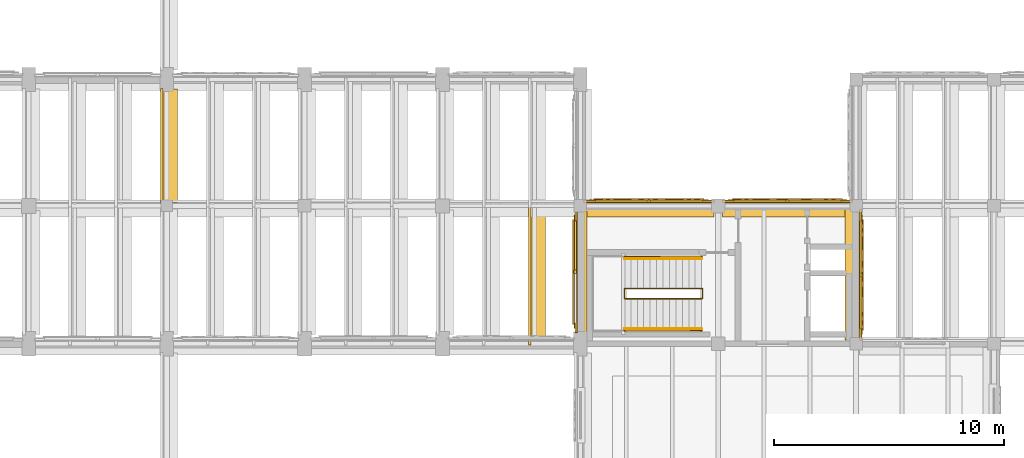
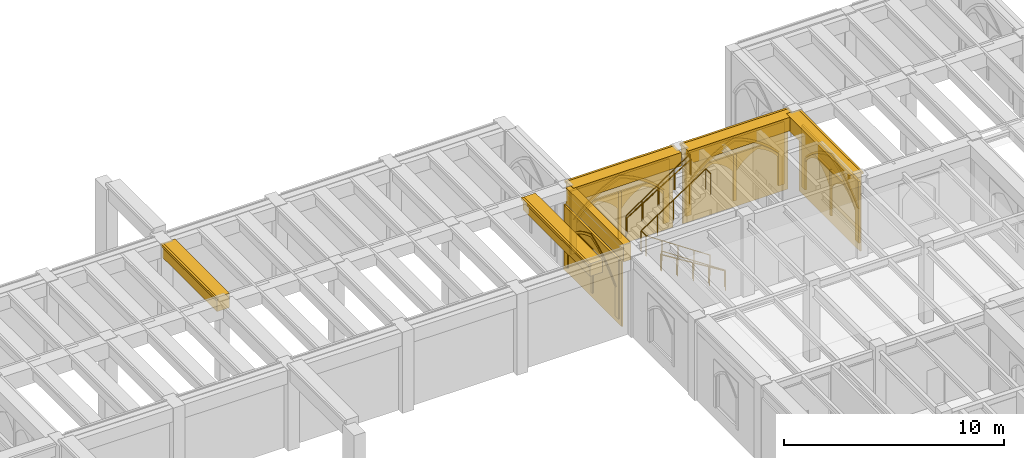
# One storey, part 118 of 127: 34 coverings, 5 railings.
"""IFC4 building model written with IfcOpenShell, lengths in metres."""

from ifc_helpers import new_model, si_unit, direction, frame, origin, origin_2d, place, context, subcontext, project, spatial, polyline, rectangle, circle, outline, extrude, material, type_object, element, save


model = new_model("IFC4")

# Units and contexts
model_context = context("Model", 3, precision=1e-05, world=origin(), true_north=direction((0.0, 1.0)))
body_context = subcontext(model_context, "Body", "Model", "MODEL_VIEW")
ifc_project = project(units=[si_unit("LENGTHUNIT", "METRE"), si_unit("AREAUNIT", "SQUARE_METRE"), si_unit("VOLUMEUNIT", "CUBIC_METRE"), si_unit("PLANEANGLEUNIT", "RADIAN"), si_unit("MASSUNIT", "GRAM", prefix="KILO")], contexts=[model_context])

# Site, building, storey
site_placement = place(None, origin())
site = spatial("IfcSite", under=ifc_project, at=site_placement, CompositionType="ELEMENT")
building_placement = place(site_placement, origin())
building = spatial("IfcBuilding", under=site, at=building_placement, Name="Cumevento Cable Car Station", CompositionType="ELEMENT")
storey_placement = place(building_placement, frame((0.0, 0.0, 4.5)))
storey = spatial("IfcBuildingStorey", under=building, at=storey_placement, Name="L02", CompositionType="ELEMENT", Elevation=4.5)

# Railings
ifc_material_1 = material(Name="Painted Galvanised Architectural Steel", Category="steel")
railing_type_1 = type_object("IfcRailingType", Name="Stair Guardrail GR-S115", PredefinedType="GUARDRAIL", material=ifc_material_1)
railing_1_placement = place(storey_placement, frame((123.280029296875, 46.9599609375, 0.0)))
element("IfcRailing", 1, at=railing_1_placement, inside=storey, type_object=railing_type_1, Name="Stair Well Inner Guardrail ST-06-L02", PredefinedType="GUARDRAIL", context=body_context, shape_type="SweptSolid", body=[
    extrude(circle(Radius=0.02392578125, at=origin_2d()), frame((0.0, 0.0, 1.1259765625), z_axis=(-0.830915400975, 0.0, 0.556398774641), x_axis=(0.0, -1.0, 0.0)), (0.0, 0.0, 1.0), 4.0439453125),
    extrude(circle(Radius=0.02392578125, at=origin_2d()), frame((-3.360107421875, 0.0, 3.3759765625), z_axis=(0.0, 1.0, 0.0), x_axis=(-1.0, 0.0, 0.0)), (0.0, 0.0, 1.0), 0.449951171875),
    extrude(circle(Radius=0.02392578125, at=origin_2d()), frame((-3.360107421875, 0.449951171875, 3.3759765625), z_axis=(0.833193183746, 0.0, 0.552982023722), x_axis=(0.0, 1.0, 0.0)), (0.0, 0.0, 1.0), 4.06884765625),
    extrude(circle(Radius=0.02392578125, at=origin_2d()), frame((0.030029296875, 0.449951171875, 5.6259765625), z_axis=(0.0, -1.0, 0.0), x_axis=(1.0, 0.0, 0.0)), (0.0, 0.0, 1.0), 0.449951171875),
    extrude(circle(Radius=0.02001953125, at=origin_2d()), origin(), (0.0, 0.0, 1.0), 1.101806640625),
    extrude(circle(Radius=0.02001953125, at=origin_2d()), frame((-0.840087890625, 0.0, 0.5625)), (0.0, 0.0, 1.0), 1.101806640625),
    extrude(circle(Radius=0.02001953125, at=origin_2d()), frame((-1.68017578125, 0.0, 1.125)), (0.0, 0.0, 1.0), 1.101806640625),
    extrude(circle(Radius=0.02001953125, at=origin_2d()), frame((-2.52001953125, 0.0, 1.6875)), (0.0, 0.0, 1.0), 1.101806640625),
    extrude(circle(Radius=0.02001953125, at=origin_2d()), frame((-3.360107421875, 0.0, 2.25)), (0.0, 0.0, 1.0), 1.101806640625),
    extrude(circle(Radius=0.02001953125, at=origin_2d()), frame((-3.360107421875, 0.449951171875, 2.25)), (0.0, 0.0, 1.0), 1.101806640625),
    extrude(circle(Radius=0.02001953125, at=origin_2d()), frame((-2.5126953125, 0.449951171875, 2.8125)), (0.0, 0.0, 1.0), 1.101806640625),
    extrude(circle(Radius=0.02001953125, at=origin_2d()), frame((-1.6650390625, 0.449951171875, 3.375)), (0.0, 0.0, 1.0), 1.101806640625),
    extrude(circle(Radius=0.02001953125, at=origin_2d()), frame((-0.8173828125, 0.449951171875, 3.9375)), (0.0, 0.0, 1.0), 1.101806640625),
    extrude(circle(Radius=0.02001953125, at=origin_2d()), frame((0.030029296875, 0.449951171875, 4.5)), (0.0, 0.0, 1.0), 1.101806640625),
    extrude(circle(Radius=0.02001953125, at=origin_2d()), frame((0.030029296875, 0.0, 4.5)), (0.0, 0.0, 1.0), 1.101806640625),
])
railing_2_placement = place(storey_placement, frame((123.280029296875, 45.580078125, 0.0)))
element("IfcRailing", 2, at=railing_2_placement, inside=storey, type_object=railing_type_1, Name="Stair Outer Guardrail ST-06-L02 F1", PredefinedType="GUARDRAIL", context=body_context, shape_type="SweptSolid", body=[
    extrude(circle(Radius=0.02392578125, at=origin_2d()), frame((0.0, 0.0, 1.1259765625), z_axis=(-0.830915400975, 0.0, 0.556398774641), x_axis=(0.0, -1.0, 0.0)), (0.0, 0.0, 1.0), 4.0439453125),
    extrude(circle(Radius=0.02001953125, at=origin_2d()), origin(), (0.0, 0.0, 1.0), 1.101806640625),
    extrude(circle(Radius=0.02001953125, at=origin_2d()), frame((-0.840087890625, 0.0, 0.5625)), (0.0, 0.0, 1.0), 1.101806640625),
    extrude(circle(Radius=0.02001953125, at=origin_2d()), frame((-1.68017578125, 0.0, 1.125)), (0.0, 0.0, 1.0), 1.101806640625),
    extrude(circle(Radius=0.02001953125, at=origin_2d()), frame((-2.52001953125, 0.0, 1.6875)), (0.0, 0.0, 1.0), 1.101806640625),
    extrude(circle(Radius=0.02001953125, at=origin_2d()), frame((-3.360107421875, 0.0, 2.25)), (0.0, 0.0, 1.0), 1.101806640625),
])
railing_3_placement = place(storey_placement, frame((119.919921875, 48.7900390625, 2.25)))
element("IfcRailing", 3, at=railing_3_placement, inside=storey, type_object=railing_type_1, Name="Stair Outer Guardrail ST-06-L02 F2", PredefinedType="GUARDRAIL", context=body_context, shape_type="SweptSolid", body=[
    extrude(circle(Radius=0.02392578125, at=origin_2d()), frame((0.0, 0.0, 1.1259765625), z_axis=(0.830915400975, 0.0, 0.556398774641), x_axis=(0.0, 1.0, 0.0)), (0.0, 0.0, 1.0), 4.0439453125),
    extrude(circle(Radius=0.02001953125, at=origin_2d()), origin(), (0.0, 0.0, 1.0), 1.101806640625),
    extrude(circle(Radius=0.02001953125, at=origin_2d()), frame((0.840087890625, 0.0, 0.5625)), (0.0, 0.0, 1.0), 1.101806640625),
    extrude(circle(Radius=0.02001953125, at=origin_2d()), frame((1.68017578125, 0.0, 1.125)), (0.0, 0.0, 1.0), 1.101806640625),
    extrude(circle(Radius=0.02001953125, at=origin_2d()), frame((2.52001953125, 0.0, 1.6875)), (0.0, 0.0, 1.0), 1.101806640625),
    extrude(circle(Radius=0.02001953125, at=origin_2d()), frame((3.360107421875, 0.0, 2.25)), (0.0, 0.0, 1.0), 1.101806640625),
])
ifc_material_2 = material(Name="Brushed Stainless Steel Handrail Tube", Category="steel")
railing_type_2 = type_object("IfcRailingType", Name="Stair Handrail HR-090", PredefinedType="HANDRAIL", material=ifc_material_2)
railing_4_placement = place(storey_placement, frame((123.280029296875, 45.659912109375, 0.17626953125)))
element("IfcRailing", 4, at=railing_4_placement, inside=storey, type_object=railing_type_2, Name="Stair Pitch Handrail ST-06-L02 F1", PredefinedType="HANDRAIL", context=body_context, shape_type="SweptSolid", body=[
    extrude(circle(Radius=0.02099609375, at=origin_2d()), frame((0.0, 0.0, 0.87890625), z_axis=(-0.850623216509, 0.0, 0.525775754039), x_axis=(0.0, -1.0, 0.0)), (0.0, 0.0, 1.0), 3.9501953125),
    extrude(circle(Radius=0.01611328125, at=origin_2d()), origin(), (0.0, 0.0, 1.0), 0.85791015625),
    extrude(circle(Radius=0.01611328125, at=origin_2d()), frame((-0.840087890625, 0.0, 0.519287109375)), (0.0, 0.0, 1.0), 0.85791015625),
    extrude(circle(Radius=0.01611328125, at=origin_2d()), frame((-1.68017578125, 0.0, 1.03857421875)), (0.0, 0.0, 1.0), 0.85791015625),
    extrude(circle(Radius=0.01611328125, at=origin_2d()), frame((-2.52001953125, 0.0, 1.5576171875)), (0.0, 0.0, 1.0), 0.85791015625),
    extrude(circle(Radius=0.01611328125, at=origin_2d()), frame((-3.360107421875, 0.0, 2.076904296875)), (0.0, 0.0, 1.0), 0.85791015625),
])
railing_5_placement = place(storey_placement, frame((119.919921875, 48.7099609375, 2.42626953125)))
element("IfcRailing", 5, at=railing_5_placement, inside=storey, type_object=railing_type_2, Name="Stair Pitch Handrail ST-06-L02 F2", PredefinedType="HANDRAIL", context=body_context, shape_type="SweptSolid", body=[
    extrude(circle(Radius=0.02099609375, at=origin_2d()), frame((0.0, 0.0, 0.87890625), z_axis=(0.850623216509, 0.0, 0.525775754039), x_axis=(0.0, 1.0, 0.0)), (0.0, 0.0, 1.0), 3.9501953125),
    extrude(circle(Radius=0.01611328125, at=origin_2d()), origin(), (0.0, 0.0, 1.0), 0.85791015625),
    extrude(circle(Radius=0.01611328125, at=origin_2d()), frame((0.840087890625, 0.0, 0.519287109375)), (0.0, 0.0, 1.0), 0.85791015625),
    extrude(circle(Radius=0.01611328125, at=origin_2d()), frame((1.68017578125, 0.0, 1.03857421875)), (0.0, 0.0, 1.0), 0.85791015625),
    extrude(circle(Radius=0.01611328125, at=origin_2d()), frame((2.52001953125, 0.0, 1.5576171875)), (0.0, 0.0, 1.0), 0.85791015625),
    extrude(circle(Radius=0.01611328125, at=origin_2d()), frame((3.360107421875, 0.0, 2.076904296875)), (0.0, 0.0, 1.0), 0.85791015625),
])

# Coverings
ifc_material_3 = material(Name="Gnaisse Facoidal Stone Ashlar 85 MPa", Category="masonry")
covering_type = type_object("IfcCoveringType", Name="Gnaisse Ashlar Cladding CV-CL01", PredefinedType="CLADDING", material=ifc_material_3)
covering_1_placement = place(storey_placement, frame((100.14990234375, 53.612548828125, 3.6728515625), z_axis=(0.0, 0.0, 1.0), x_axis=(0.0, 1.0, 0.0)))
element("IfcCovering", 6, at=covering_1_placement, inside=storey, type_object=covering_type, Name="Gothic Stone Spandrel Stringcourse sc:0417", PredefinedType="CLADDING", context=body_context, shape_type="SweptSolid", body=[
    extrude(rectangle(XDim=4.965087890625, YDim=0.659912109375, at=origin_2d()), origin(), (0.0, 0.0, 1.0), 0.797119140625),
])
covering_2_placement = place(storey_placement, frame((99.79248046875, 53.612548828125, 4.340087890625), z_axis=(0.0, 0.0, 1.0), x_axis=(0.0, 1.0, 0.0)))
element("IfcCovering", 7, at=covering_2_placement, inside=storey, type_object=covering_type, Name="Gothic Cornice Dripstone Lip sc:0417", PredefinedType="CLADDING", context=body_context, shape_type="SweptSolid", body=[
    extrude(rectangle(XDim=5.0048828125, YDim=0.114990234375, at=origin_2d()), origin(), (0.0, 0.0, 1.0), 0.1298828125),
])
covering_3_placement = place(storey_placement, frame((118.090087890625, 48.125, 3.51708984375), z_axis=(0.0, 0.0, 1.0), x_axis=(0.0, 1.0, 0.0)))
element("IfcCovering", 8, at=covering_3_placement, inside=storey, type_object=covering_type, Name="Gothic Stone Spandrel Stringcourse sc:0422", PredefinedType="CLADDING", context=body_context, shape_type="SweptSolid", body=[
    extrude(rectangle(XDim=5.260009765625, YDim=0.3798828125, at=origin_2d()), origin(), (0.0, 0.0, 1.0), 0.947998046875),
])
covering_4_placement = place(storey_placement, frame((120.987548828125, 50.85009765625, 3.722900390625), z_axis=(0.0, 0.0, 1.0), x_axis=(1.0, 0.0, 0.0)))
element("IfcCovering", 9, at=covering_4_placement, inside=storey, type_object=covering_type, Name="Gothic Stone Spandrel Stringcourse sc:0480", PredefinedType="CLADDING", context=body_context, shape_type="SweptSolid", body=[
    extrude(rectangle(XDim=5.6650390625, YDim=0.659912109375, at=origin_2d()), origin(), (0.0, 0.0, 1.0), 0.7470703125),
])
covering_5_placement = place(storey_placement, frame((120.987548828125, 51.20751953125, 4.340087890625), z_axis=(0.0, 0.0, 1.0), x_axis=(1.0, 0.0, 0.0)))
element("IfcCovering", 10, at=covering_5_placement, inside=storey, type_object=covering_type, Name="Gothic Cornice Dripstone Lip sc:0480", PredefinedType="CLADDING", context=body_context, shape_type="SweptSolid", body=[
    extrude(rectangle(XDim=5.705078125, YDim=0.114990234375, at=origin_2d()), origin(), (0.0, 0.0, 1.0), 0.1298828125),
])
covering_6_placement = place(storey_placement, frame((127.012451171875, 50.85009765625, 3.682861328125), z_axis=(0.0, 0.0, 1.0), x_axis=(1.0, 0.0, 0.0)))
element("IfcCovering", 11, at=covering_6_placement, inside=storey, type_object=covering_type, Name="Gothic Stone Spandrel Stringcourse sc:0481", PredefinedType="CLADDING", context=body_context, shape_type="SweptSolid", body=[
    extrude(rectangle(XDim=5.6650390625, YDim=0.659912109375, at=origin_2d()), origin(), (0.0, 0.0, 1.0), 0.7470703125),
])
covering_7_placement = place(storey_placement, frame((127.012451171875, 51.20751953125, 4.300048828125), z_axis=(0.0, 0.0, 1.0), x_axis=(1.0, 0.0, 0.0)))
element("IfcCovering", 12, at=covering_7_placement, inside=storey, type_object=covering_type, Name="Gothic Cornice Dripstone Lip sc:0481", PredefinedType="CLADDING", context=body_context, shape_type="SweptSolid", body=[
    extrude(rectangle(XDim=5.705078125, YDim=0.114990234375, at=origin_2d()), origin(), (0.0, 0.0, 1.0), 0.1298828125),
])
covering_8_placement = place(storey_placement, frame((129.85009765625, 48.0, 3.6328125), z_axis=(0.0, 0.0, 1.0), x_axis=(0.0, -1.0, 0.0)))
element("IfcCovering", 13, at=covering_8_placement, inside=storey, type_object=covering_type, Name="Gothic Stone Spandrel Stringcourse sc:0482", PredefinedType="CLADDING", context=body_context, shape_type="SweptSolid", body=[
    extrude(rectangle(XDim=5.68994140625, YDim=0.659912109375, at=origin_2d()), origin(), (0.0, 0.0, 1.0), 0.797119140625),
])
covering_9_placement = place(storey_placement, frame((130.20751953125, 48.0, 4.300048828125), z_axis=(0.0, 0.0, 1.0), x_axis=(0.0, -1.0, 0.0)))
element("IfcCovering", 14, at=covering_9_placement, inside=storey, type_object=covering_type, Name="Gothic Cornice Dripstone Lip sc:0482", PredefinedType="CLADDING", context=body_context, shape_type="SweptSolid", body=[
    extrude(rectangle(XDim=5.72998046875, YDim=0.114990234375, at=origin_2d()), origin(), (0.0, 0.0, 1.0), 0.1298828125),
])
covering_10_placement = place(storey_placement, frame((116.14990234375, 48.007568359375, 3.77490234375), z_axis=(0.0, 0.0, 1.0), x_axis=(0.0, 1.0, 0.0)))
element("IfcCovering", 15, at=covering_10_placement, inside=storey, type_object=covering_type, Name="Gothic Stone Spandrel Stringcourse sc:0538", PredefinedType="CLADDING", context=body_context, shape_type="SweptSolid", body=[
    extrude(rectangle(XDim=6.10107421875, YDim=0.659912109375, at=origin_2d()), origin(), (0.0, 0.0, 1.0), 0.695068359375),
])
covering_11_placement = place(storey_placement, frame((115.79248046875, 48.007568359375, 4.340087890625), z_axis=(0.0, 0.0, 1.0), x_axis=(0.0, 1.0, 0.0)))
element("IfcCovering", 16, at=covering_11_placement, inside=storey, type_object=covering_type, Name="Gothic Cornice Dripstone Lip sc:0538", PredefinedType="CLADDING", context=body_context, shape_type="SweptSolid", body=[
    extrude(rectangle(XDim=6.14111328125, YDim=0.114990234375, at=origin_2d()), origin(), (0.0, 0.0, 1.0), 0.1298828125),
])
covering_12_placement = place(storey_placement, frame((118.27490234375, 51.0, 0.0), z_axis=(0.0, 0.0, 1.0), x_axis=(1.0, 0.0, 0.0)))
element("IfcCovering", 17, at=covering_12_placement, inside=storey, type_object=covering_type, Name="Exterior Gnaisse Stone Wall Ashlar #219", PredefinedType="CLADDING", context=body_context, shape_type="SweptSolid", body=[
    extrude(outline(polyline([(-0.0400390625, -0.02001953125), (5.465087890625, -0.02001953125), (5.465087890625, 3.802978515625), (-0.0400390625, 3.802978515625), (-0.0400390625, -0.02001953125)])), frame((0.0, 0.222412109375, 0.0), z_axis=(0.0, -1.0, 0.0), x_axis=(1.0, 0.0, 0.0)), (0.0, 0.0, 1.0), 0.0849609375),
])
placement_1 = place(storey_placement, frame((118.455078125, 51.0, 0.300048828125), z_axis=(0.0, 0.0, 1.0), x_axis=(1.0, 0.0, 0.0)))
element("IfcCovering", 18, at=placement_1, inside=storey, type_object=covering_type, Name="Gothic Ogival Pointed-Arch Stone Spandrel blind_ogival:0219", PredefinedType="CLADDING", context=body_context, shape_type="SweptSolid", body=[
    extrude(outline(polyline([(-0.050048828125, 0.0), (-0.050048828125, 3.52294921875), (5.114990234375, 3.52294921875), (5.114990234375, 0.0), (4.804931640625, 0.0), (4.804931640625, 1.818603515625), (4.533447265625, 2.101806640625), (4.241455078125, 2.36376953125), (3.93017578125, 2.602294921875), (3.601806640625, 2.81689453125), (3.258056640625, 3.006103515625), (2.90087890625, 3.16845703125), (2.532470703125, 3.302978515625), (2.1640625, 3.16845703125), (1.806884765625, 3.006103515625), (1.463134765625, 2.81689453125), (1.134765625, 2.602294921875), (0.823486328125, 2.36376953125), (0.531494140625, 2.101806640625), (0.260009765625, 1.818603515625), (0.260009765625, 0.0), (-0.050048828125, 0.0)])), frame((0.0, 0.277587890625, 0.0), z_axis=(0.0, -1.0, 0.0), x_axis=(1.0, 0.0, 0.0)), (0.0, 0.0, 1.0), 0.110107421875),
])
covering_14_placement = place(storey_placement, frame((118.455078125, 51.0, 2.118408203125), z_axis=(0.0, 0.0, 1.0), x_axis=(1.0, 0.0, 0.0)))
element("IfcCovering", 19, at=covering_14_placement, inside=storey, type_object=covering_type, Name="Gothic Pointed Archivolt Hood Moulding blind_ogival:0219", PredefinedType="CLADDING", context=body_context, shape_type="SweptSolid", body=[
    extrude(outline(polyline([(0.260009765625, 0.0), (0.531494140625, 0.283203125), (0.823486328125, 0.545166015625), (1.134765625, 0.783935546875), (1.463134765625, 0.99853515625), (1.806884765625, 1.1875), (2.1640625, 1.349853515625), (2.532470703125, 1.484619140625), (2.90087890625, 1.349853515625), (3.258056640625, 1.1875), (3.601806640625, 0.99853515625), (3.93017578125, 0.783935546875), (4.241455078125, 0.545166015625), (4.533447265625, 0.283203125), (4.804931640625, 0.0), (4.926025390625, 0.0), (4.644775390625, 0.31103515625), (4.340087890625, 0.59912109375), (4.013427734375, 0.8623046875), (3.667236328125, 1.098876953125), (3.303466796875, 1.307373046875), (2.92431640625, 1.48681640625), (2.532470703125, 1.6357421875), (2.140625, 1.48681640625), (1.761474609375, 1.307373046875), (1.397705078125, 1.098876953125), (1.051513671875, 0.8623046875), (0.724853515625, 0.59912109375), (0.420166015625, 0.31103515625), (0.138916015625, 0.0), (0.260009765625, 0.0)])), frame((0.0, 0.319580078125, 0.0), z_axis=(0.0, -1.0, 0.0), x_axis=(1.0, 0.0, 0.0)), (0.0, 0.0, 1.0), 0.06689453125),
])
element("IfcCovering", 20, at=placement_1, inside=storey, type_object=covering_type, Name="Gothic Bifora Stone Colonnette blind_ogival:0219 #1", PredefinedType="CLADDING", context=body_context, shape_type="SweptSolid", body=[
    extrude(outline(polyline([(2.45751953125, -0.02001953125), (2.607421875, -0.02001953125), (2.607421875, 2.59033203125), (2.45751953125, 2.59033203125), (2.45751953125, -0.02001953125)])), frame((0.0, 0.265380859375, 0.0), z_axis=(0.0, -1.0, 0.0), x_axis=(1.0, 0.0, 0.0)), (0.0, 0.0, 1.0), 0.094970703125),
])
for number, where, z_axis, x_axis, name in (
    (21, (118.68505859375, 51.0, 1.9384765625), (0.0, 0.0, 1.0), (1.0, 0.0, 0.0), "Gothic Ogival Pointed-Arch Stone Spandrel blind_ogival:0219:sub:0"),
    (22, (121.032470703125, 51.0, 1.9384765625), (0.0, 0.0, 1.0), (1.0, 0.0, 0.0), "Gothic Ogival Pointed-Arch Stone Spandrel blind_ogival:0219:sub:1"),
):
    element("IfcCovering", number, at=place(storey_placement, frame(where, z_axis=z_axis, x_axis=x_axis)), inside=storey, type_object=covering_type, Name=name, PredefinedType="CLADDING", context=body_context, shape_type="SweptSolid", body=[
        extrude(outline(polyline([(-0.02001953125, 0.0), (-0.02001953125, 0.951904296875), (2.277587890625, 0.951904296875), (2.277587890625, 0.0), (2.217529296875, 0.0), (2.073974609375, 0.181884765625), (1.912841796875, 0.3486328125), (1.736083984375, 0.498291015625), (1.545166015625, 0.629638671875), (1.342041015625, 0.7412109375), (1.128662109375, 0.831787109375), (0.91552734375, 0.7412109375), (0.71240234375, 0.629638671875), (0.521484375, 0.498291015625), (0.3447265625, 0.3486328125), (0.18359375, 0.181884765625), (0.0400390625, 0.0), (-0.02001953125, 0.0)])), frame((0.0, 0.261474609375, 0.0), z_axis=(0.0, -1.0, 0.0), x_axis=(1.0, 0.0, 0.0)), (0.0, 0.0, 1.0), 0.090087890625),
    ])
covering_16_placement = place(storey_placement, frame((124.300048828125, 51.0, 0.0), z_axis=(0.0, 0.0, 1.0), x_axis=(1.0, 0.0, 0.0)))
element("IfcCovering", 23, at=covering_16_placement, inside=storey, type_object=covering_type, Name="Exterior Gnaisse Stone Wall Ashlar #220", PredefinedType="CLADDING", context=body_context, shape_type="SweptSolid", body=[
    extrude(outline(polyline([(-0.0400390625, -0.02001953125), (5.465087890625, -0.02001953125), (5.465087890625, 3.762939453125), (-0.0400390625, 3.762939453125), (-0.0400390625, -0.02001953125)])), frame((0.0, 0.222412109375, 0.0), z_axis=(0.0, -1.0, 0.0), x_axis=(1.0, 0.0, 0.0)), (0.0, 0.0, 1.0), 0.0849609375),
])
placement_2 = place(storey_placement, frame((124.47998046875, 51.0, 0.300048828125), z_axis=(0.0, 0.0, 1.0), x_axis=(1.0, 0.0, 0.0)))
element("IfcCovering", 24, at=placement_2, inside=storey, type_object=covering_type, Name="Gothic Ogival Pointed-Arch Stone Spandrel blind_ogival:0220", PredefinedType="CLADDING", context=body_context, shape_type="SweptSolid", body=[
    extrude(outline(polyline([(-0.050048828125, 0.0), (-0.050048828125, 3.48291015625), (5.114990234375, 3.48291015625), (5.114990234375, 0.0), (4.804931640625, 0.0), (4.804931640625, 1.796142578125), (4.532470703125, 2.076171875), (4.239501953125, 2.335205078125), (3.92822265625, 2.5712890625), (3.599853515625, 2.783203125), (3.25634765625, 2.9697265625), (2.89990234375, 3.130126953125), (2.532470703125, 3.262939453125), (2.1650390625, 3.130126953125), (1.80859375, 2.9697265625), (1.465087890625, 2.783203125), (1.13671875, 2.5712890625), (0.825439453125, 2.335205078125), (0.532470703125, 2.076171875), (0.260009765625, 1.796142578125), (0.260009765625, 0.0), (-0.050048828125, 0.0)])), frame((0.0, 0.277587890625, 0.0), z_axis=(0.0, -1.0, 0.0), x_axis=(1.0, 0.0, 0.0)), (0.0, 0.0, 1.0), 0.110107421875),
])
covering_18_placement = place(storey_placement, frame((124.47998046875, 51.0, 2.09619140625), z_axis=(0.0, 0.0, 1.0), x_axis=(1.0, 0.0, 0.0)))
element("IfcCovering", 25, at=covering_18_placement, inside=storey, type_object=covering_type, Name="Gothic Pointed Archivolt Hood Moulding blind_ogival:0220", PredefinedType="CLADDING", context=body_context, shape_type="SweptSolid", body=[
    extrude(outline(polyline([(0.260009765625, 0.0), (0.532470703125, 0.280029296875), (0.825439453125, 0.5390625), (1.13671875, 0.775146484375), (1.465087890625, 0.987060546875), (1.80859375, 1.173583984375), (2.1650390625, 1.333984375), (2.532470703125, 1.466796875), (2.89990234375, 1.333984375), (3.25634765625, 1.173583984375), (3.599853515625, 0.987060546875), (3.92822265625, 0.775146484375), (4.239501953125, 0.5390625), (4.532470703125, 0.280029296875), (4.804931640625, 0.0), (4.926025390625, 0.0), (4.6435546875, 0.30810546875), (4.338134765625, 0.593017578125), (4.01123046875, 0.853271484375), (3.6650390625, 1.08740234375), (3.3017578125, 1.293701171875), (2.923583984375, 1.470947265625), (2.532470703125, 1.6181640625), (2.141357421875, 1.470947265625), (1.76318359375, 1.293701171875), (1.39990234375, 1.08740234375), (1.0537109375, 0.853271484375), (0.726806640625, 0.593017578125), (0.42138671875, 0.30810546875), (0.138916015625, 0.0), (0.260009765625, 0.0)])), frame((0.0, 0.319580078125, 0.0), z_axis=(0.0, -1.0, 0.0), x_axis=(1.0, 0.0, 0.0)), (0.0, 0.0, 1.0), 0.06689453125),
])
element("IfcCovering", 26, at=placement_2, inside=storey, type_object=covering_type, Name="Gothic Bifora Stone Colonnette blind_ogival:0220 #1", PredefinedType="CLADDING", context=body_context, shape_type="SweptSolid", body=[
    extrude(outline(polyline([(2.45751953125, -0.02001953125), (2.607421875, -0.02001953125), (2.607421875, 2.558837890625), (2.45751953125, 2.558837890625), (2.45751953125, -0.02001953125)])), frame((0.0, 0.265380859375, 0.0), z_axis=(0.0, -1.0, 0.0), x_axis=(1.0, 0.0, 0.0)), (0.0, 0.0, 1.0), 0.094970703125),
])
for number, where, z_axis, x_axis, name in (
    (27, (124.7099609375, 51.0, 1.916015625), (0.0, 0.0, 1.0), (1.0, 0.0, 0.0), "Gothic Ogival Pointed-Arch Stone Spandrel blind_ogival:0220:sub:0"),
    (28, (127.0576171875, 51.0, 1.916015625), (0.0, 0.0, 1.0), (1.0, 0.0, 0.0), "Gothic Ogival Pointed-Arch Stone Spandrel blind_ogival:0220:sub:1"),
):
    element("IfcCovering", number, at=place(storey_placement, frame(where, z_axis=z_axis, x_axis=x_axis)), inside=storey, type_object=covering_type, Name=name, PredefinedType="CLADDING", context=body_context, shape_type="SweptSolid", body=[
        extrude(outline(polyline([(-0.02001953125, 0.0), (-0.02001953125, 0.94287109375), (2.277587890625, 0.94287109375), (2.277587890625, 0.0), (2.217529296875, 0.0), (2.0732421875, 0.18017578125), (1.911865234375, 0.344970703125), (1.73486328125, 0.492919921875), (1.544189453125, 0.622802734375), (1.341552734375, 0.733154296875), (1.128662109375, 0.82275390625), (0.916015625, 0.733154296875), (0.71337890625, 0.622802734375), (0.522705078125, 0.492919921875), (0.345703125, 0.344970703125), (0.184326171875, 0.18017578125), (0.0400390625, 0.0), (-0.02001953125, 0.0)])), frame((0.0, 0.261474609375, 0.0), z_axis=(0.0, -1.0, 0.0), x_axis=(1.0, 0.0, 0.0)), (0.0, 0.0, 1.0), 0.090087890625),
    ])
covering_20_placement = place(storey_placement, frame((118.0, 45.52490234375, 0.0), z_axis=(0.0, 0.0, 1.0), x_axis=(0.0, 1.0, 0.0)))
element("IfcCovering", 29, at=covering_20_placement, inside=storey, type_object=covering_type, Name="Exterior Gnaisse Stone Wall Ashlar #221", PredefinedType="CLADDING", context=body_context, shape_type="SweptSolid", body=[
    extrude(outline(polyline([(-0.0400390625, -0.02001953125), (5.239990234375, -0.02001953125), (5.239990234375, 3.596923828125), (-0.0400390625, 3.596923828125), (-0.0400390625, -0.02001953125)])), frame((0.0, 0.222412109375, 0.0), z_axis=(0.0, -1.0, 0.0), x_axis=(1.0, 0.0, 0.0)), (0.0, 0.0, 1.0), 0.0849609375),
])
placement_3 = place(storey_placement, frame((118.0, 45.705078125, 0.300048828125), z_axis=(0.0, 0.0, 1.0), x_axis=(0.0, 1.0, 0.0)))
element("IfcCovering", 30, at=placement_3, inside=storey, type_object=covering_type, Name="Gothic Ogival Pointed-Arch Stone Spandrel blind_ogival:0221", PredefinedType="CLADDING", context=body_context, shape_type="SweptSolid", body=[
    extrude(outline(polyline([(-0.050048828125, 0.0), (-0.050048828125, 3.31689453125), (4.889892578125, 3.31689453125), (4.889892578125, 0.0), (4.580078125, 0.0), (4.580078125, 1.703125), (4.321044921875, 1.96923828125), (4.042724609375, 2.21533203125), (3.74658203125, 2.439697265625), (3.4345703125, 2.64111328125), (3.108154296875, 2.818359375), (2.769287109375, 2.970703125), (2.419921875, 3.096923828125), (2.07080078125, 2.970703125), (1.73193359375, 2.818359375), (1.405517578125, 2.64111328125), (1.093505859375, 2.439697265625), (0.79736328125, 2.21533203125), (0.51904296875, 1.96923828125), (0.260009765625, 1.703125), (0.260009765625, 0.0), (-0.050048828125, 0.0)])), frame((0.0, 0.277587890625, 0.0), z_axis=(0.0, -1.0, 0.0), x_axis=(1.0, 0.0, 0.0)), (0.0, 0.0, 1.0), 0.110107421875),
])
covering_22_placement = place(storey_placement, frame((118.0, 45.705078125, 2.003173828125), z_axis=(0.0, 0.0, 1.0), x_axis=(0.0, 1.0, 0.0)))
element("IfcCovering", 31, at=covering_22_placement, inside=storey, type_object=covering_type, Name="Gothic Pointed Archivolt Hood Moulding blind_ogival:0221", PredefinedType="CLADDING", context=body_context, shape_type="SweptSolid", body=[
    extrude(outline(polyline([(0.260009765625, 0.0), (0.51904296875, 0.26611328125), (0.79736328125, 0.51220703125), (1.093505859375, 0.736572265625), (1.405517578125, 0.93798828125), (1.73193359375, 1.115234375), (2.07080078125, 1.267578125), (2.419921875, 1.393798828125), (2.769287109375, 1.267578125), (3.108154296875, 1.115234375), (3.4345703125, 0.93798828125), (3.74658203125, 0.736572265625), (4.042724609375, 0.51220703125), (4.321044921875, 0.26611328125), (4.580078125, 0.0), (4.700927734375, 0.0), (4.43212890625, 0.2939453125), (4.14111328125, 0.566162109375), (3.829833984375, 0.814697265625), (3.5, 1.038330078125), (3.153564453125, 1.2353515625), (2.79296875, 1.404541015625), (2.419921875, 1.545166015625), (2.047119140625, 1.404541015625), (1.6865234375, 1.2353515625), (1.340087890625, 1.038330078125), (1.01025390625, 0.814697265625), (0.698974609375, 0.566162109375), (0.407958984375, 0.2939453125), (0.138916015625, 0.0), (0.260009765625, 0.0)])), frame((0.0, 0.319580078125, 0.0), z_axis=(0.0, -1.0, 0.0), x_axis=(1.0, 0.0, 0.0)), (0.0, 0.0, 1.0), 0.06689453125),
])
element("IfcCovering", 32, at=placement_3, inside=storey, type_object=covering_type, Name="Gothic Bifora Stone Colonnette blind_ogival:0221 #1", PredefinedType="CLADDING", context=body_context, shape_type="SweptSolid", body=[
    extrude(outline(polyline([(2.344970703125, -0.02001953125), (2.4951171875, -0.02001953125), (2.4951171875, 2.427978515625), (2.344970703125, 2.427978515625), (2.344970703125, -0.02001953125)])), frame((0.0, 0.265380859375, 0.0), z_axis=(0.0, -1.0, 0.0), x_axis=(1.0, 0.0, 0.0)), (0.0, 0.0, 1.0), 0.094970703125),
])
covering_24_placement = place(storey_placement, frame((118.0, 48.169921875, 1.822998046875), z_axis=(0.0, 0.0, 1.0), x_axis=(0.0, 1.0, 0.0)))
element("IfcCovering", 33, at=covering_24_placement, inside=storey, type_object=covering_type, Name="Gothic Ogival Pointed-Arch Stone Spandrel blind_ogival:0221:sub:1", PredefinedType="CLADDING", context=body_context, shape_type="SweptSolid", body=[
    extrude(outline(polyline([(-0.02001953125, 0.0), (-0.02001953125, 0.90478515625), (2.1650390625, 0.90478515625), (2.1650390625, 0.0), (2.10498046875, 0.0), (1.968505859375, 0.171630859375), (1.815673828125, 0.328857421875), (1.64794921875, 0.47021484375), (1.466796875, 0.593994140625), (1.2744140625, 0.69921875), (1.072509765625, 0.784912109375), (0.87060546875, 0.69921875), (0.67822265625, 0.593994140625), (0.4970703125, 0.47021484375), (0.329345703125, 0.328857421875), (0.176513671875, 0.171630859375), (0.0400390625, 0.0), (-0.02001953125, 0.0)])), frame((0.0, 0.261474609375, 0.0), z_axis=(0.0, -1.0, 0.0), x_axis=(1.0, 0.0, 0.0)), (0.0, 0.0, 1.0), 0.090087890625),
])
covering_25_placement = place(storey_placement, frame((130.0, 50.72509765625, 0.0), z_axis=(0.0, 0.0, 1.0), x_axis=(0.0, -1.0, 0.0)))
element("IfcCovering", 34, at=covering_25_placement, inside=storey, type_object=covering_type, Name="Exterior Gnaisse Stone Wall Ashlar #222", PredefinedType="CLADDING", context=body_context, shape_type="SweptSolid", body=[
    extrude(outline(polyline([(-0.0400390625, -0.02001953125), (5.489990234375, -0.02001953125), (5.489990234375, 3.712890625), (-0.0400390625, 3.712890625), (-0.0400390625, -0.02001953125)])), frame((0.0, 0.222412109375, 0.0), z_axis=(0.0, -1.0, 0.0), x_axis=(1.0, 0.0, 0.0)), (0.0, 0.0, 1.0), 0.0849609375),
])
placement_4 = place(storey_placement, frame((130.0, 50.544921875, 0.300048828125), z_axis=(0.0, 0.0, 1.0), x_axis=(0.0, -1.0, 0.0)))
element("IfcCovering", 35, at=placement_4, inside=storey, type_object=covering_type, Name="Gothic Ogival Pointed-Arch Stone Spandrel blind_ogival:0222", PredefinedType="CLADDING", context=body_context, shape_type="SweptSolid", body=[
    extrude(outline(polyline([(-0.050048828125, 0.0), (-0.050048828125, 3.43310546875), (5.139892578125, 3.43310546875), (5.139892578125, 0.0), (4.830078125, 0.0), (4.830078125, 1.76806640625), (4.55419921875, 2.04443359375), (4.258544921875, 2.299560546875), (3.94482421875, 2.5322265625), (3.61474609375, 2.74072265625), (3.270263671875, 2.924560546875), (2.9130859375, 3.082275390625), (2.544921875, 3.212890625), (2.177001953125, 3.082275390625), (1.81982421875, 2.924560546875), (1.475341796875, 2.74072265625), (1.145263671875, 2.5322265625), (0.83154296875, 2.299560546875), (0.535888671875, 2.04443359375), (0.260009765625, 1.76806640625), (0.260009765625, 0.0), (-0.050048828125, 0.0)])), frame((0.0, 0.277587890625, 0.0), z_axis=(0.0, -1.0, 0.0), x_axis=(1.0, 0.0, 0.0)), (0.0, 0.0, 1.0), 0.110107421875),
])
covering_27_placement = place(storey_placement, frame((130.0, 50.544921875, 2.068115234375), z_axis=(0.0, 0.0, 1.0), x_axis=(0.0, -1.0, 0.0)))
element("IfcCovering", 36, at=covering_27_placement, inside=storey, type_object=covering_type, Name="Gothic Pointed Archivolt Hood Moulding blind_ogival:0222", PredefinedType="CLADDING", context=body_context, shape_type="SweptSolid", body=[
    extrude(outline(polyline([(0.260009765625, 0.0), (0.535888671875, 0.2763671875), (0.83154296875, 0.531494140625), (1.145263671875, 0.76416015625), (1.475341796875, 0.97265625), (1.81982421875, 1.156494140625), (2.177001953125, 1.314208984375), (2.544921875, 1.44482421875), (2.9130859375, 1.314208984375), (3.270263671875, 1.156494140625), (3.61474609375, 0.97265625), (3.94482421875, 0.76416015625), (4.258544921875, 0.531494140625), (4.55419921875, 0.2763671875), (4.830078125, 0.0), (4.950927734375, 0.0), (4.665283203125, 0.30419921875), (4.35693359375, 0.585693359375), (4.02783203125, 0.842529296875), (3.68017578125, 1.0732421875), (3.315673828125, 1.2763671875), (2.9365234375, 1.451171875), (2.544921875, 1.59619140625), (2.153564453125, 1.451171875), (1.7744140625, 1.2763671875), (1.409912109375, 1.0732421875), (1.062255859375, 0.842529296875), (0.733154296875, 0.585693359375), (0.4248046875, 0.30419921875), (0.138916015625, 0.0), (0.260009765625, 0.0)])), frame((0.0, 0.319580078125, 0.0), z_axis=(0.0, -1.0, 0.0), x_axis=(1.0, 0.0, 0.0)), (0.0, 0.0, 1.0), 0.06689453125),
])
element("IfcCovering", 37, at=placement_4, inside=storey, type_object=covering_type, Name="Gothic Bifora Stone Colonnette blind_ogival:0222 #1", PredefinedType="CLADDING", context=body_context, shape_type="SweptSolid", body=[
    extrude(outline(polyline([(2.469970703125, -0.02001953125), (2.6201171875, -0.02001953125), (2.6201171875, 2.519287109375), (2.469970703125, 2.519287109375), (2.469970703125, -0.02001953125)])), frame((0.0, 0.265380859375, 0.0), z_axis=(0.0, -1.0, 0.0), x_axis=(1.0, 0.0, 0.0)), (0.0, 0.0, 1.0), 0.094970703125),
])
for number, where, z_axis, x_axis, name in (
    (38, (130.0, 50.31494140625, 1.88818359375), (0.0, 0.0, 1.0), (0.0, -1.0, 0.0), "Gothic Ogival Pointed-Arch Stone Spandrel blind_ogival:0222:sub:0"),
    (39, (130.0, 47.955078125, 1.88818359375), (0.0, 0.0, 1.0), (0.0, -1.0, 0.0), "Gothic Ogival Pointed-Arch Stone Spandrel blind_ogival:0222:sub:1"),
):
    element("IfcCovering", number, at=place(storey_placement, frame(where, z_axis=z_axis, x_axis=x_axis)), inside=storey, type_object=covering_type, Name=name, PredefinedType="CLADDING", context=body_context, shape_type="SweptSolid", body=[
        extrude(outline(polyline([(-0.02001953125, 0.0), (-0.02001953125, 0.931396484375), (2.2900390625, 0.931396484375), (2.2900390625, 0.0), (2.22998046875, 0.0), (2.083740234375, 0.177734375), (1.920654296875, 0.340576171875), (1.742431640625, 0.486572265625), (1.55078125, 0.614501953125), (1.34765625, 0.72314453125), (1.135009765625, 0.811279296875), (0.92236328125, 0.72314453125), (0.71923828125, 0.614501953125), (0.527587890625, 0.486572265625), (0.349365234375, 0.340576171875), (0.186279296875, 0.177734375), (0.0400390625, 0.0), (-0.02001953125, 0.0)])), frame((0.0, 0.261474609375, 0.0), z_axis=(0.0, -1.0, 0.0), x_axis=(1.0, 0.0, 0.0)), (0.0, 0.0, 1.0), 0.090087890625),
    ])

save(model, "model.ifc")
